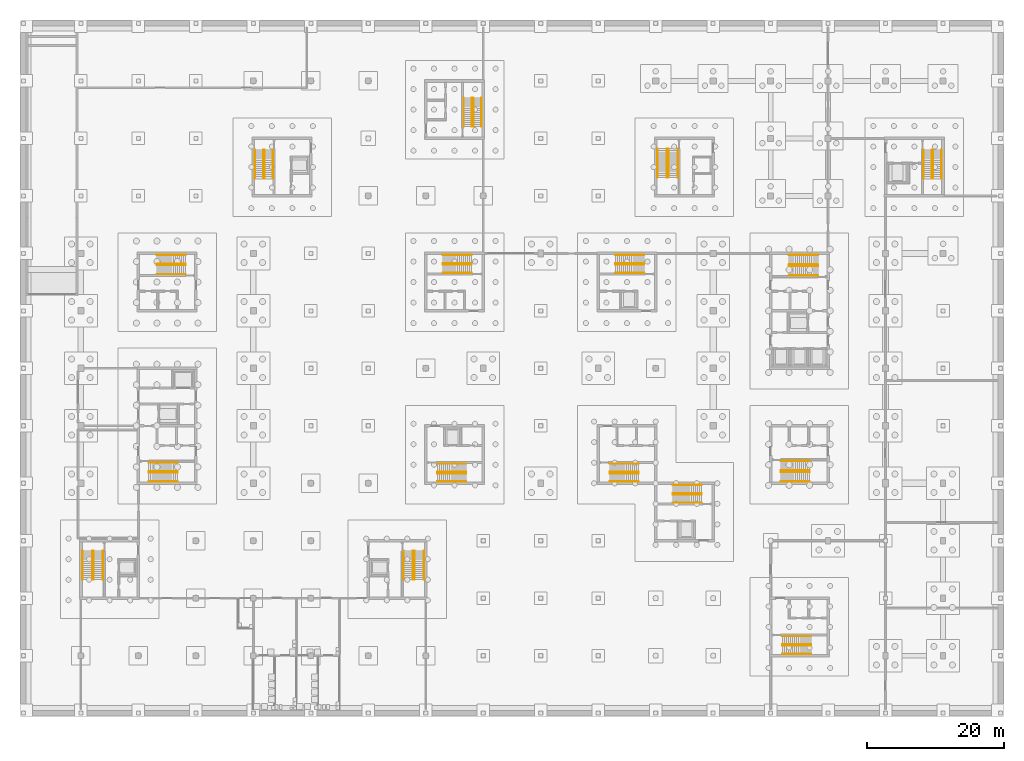
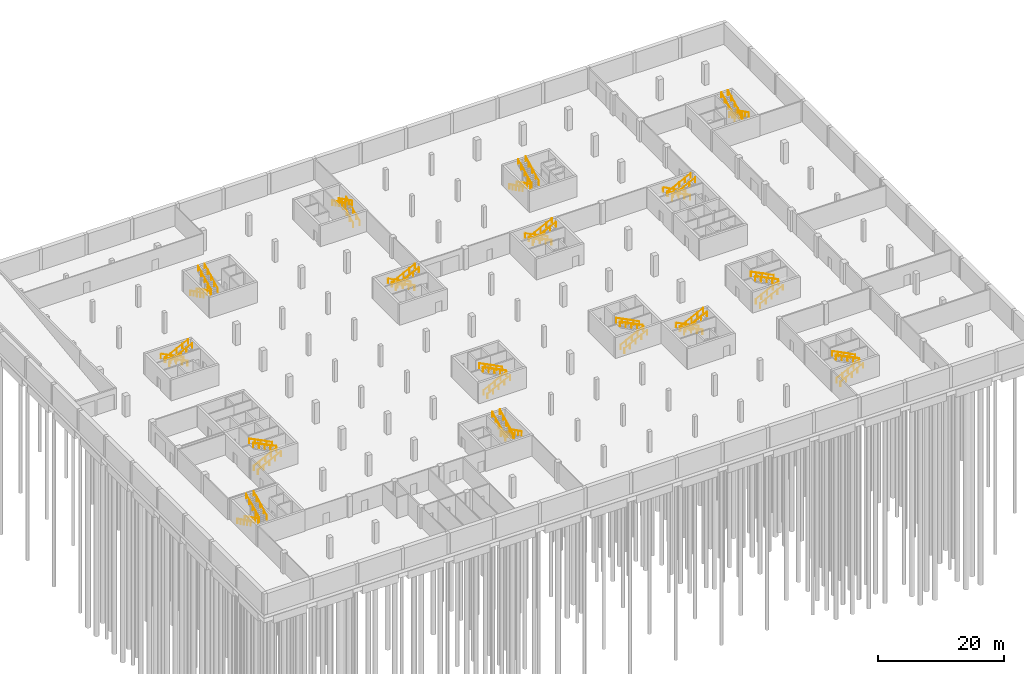
# One storey, part 21 of 23: 64 railings.
"""IFC4 building model written with IfcOpenShell, lengths in metres."""

from ifc_helpers import new_model, si_unit, direction, frame, origin, origin_2d, place, context, subcontext, project, spatial, circle, extrude, material, type_object, element, save


model = new_model("IFC4")

# Units and contexts
model_context = context("Model", 3, precision=1e-05, world=origin(), true_north=direction((0.0, 1.0)))
body_context = subcontext(model_context, "Body", "Model", "MODEL_VIEW")
ifc_project = project(units=[si_unit("LENGTHUNIT", "METRE"), si_unit("AREAUNIT", "SQUARE_METRE"), si_unit("VOLUMEUNIT", "CUBIC_METRE"), si_unit("PLANEANGLEUNIT", "RADIAN"), si_unit("MASSUNIT", "GRAM", prefix="KILO")], contexts=[model_context])

# Site, building, storey
site_placement = place(None, origin())
site = spatial("IfcSite", under=ifc_project, at=site_placement, CompositionType="ELEMENT")
building_placement = place(site_placement, origin())
building = spatial("IfcBuilding", under=site, at=building_placement, Name="Hlaing Beacon Police Headquarters", CompositionType="ELEMENT")
storey_placement = place(building_placement, frame((0.0, 0.0, -4.5)))
storey = spatial("IfcBuildingStorey", under=building, at=storey_placement, Name="B1", CompositionType="ELEMENT", Elevation=-4.5)

# Railings
ifc_material = material(Name="Stainless steel", Category="steel")
railing_type = type_object("IfcRailingType", Name="Stair handrail 900", PredefinedType="HANDRAIL", material=ifc_material)
for number, where, name in (
    (1, (60.5, 33.85009765625, 0.14990234375), "Handrail ST-A"),
    (2, (60.5, 35.050048828125, 0.14990234375), "Handrail ST-A"),
):
    element("IfcRailing", number, at=place(storey_placement, frame(where)), inside=storey, type_object=railing_type, Name=name, PredefinedType="HANDRAIL", context=body_context, shape_type="SweptSolid", body=[
        extrude(circle(Radius=0.02392578125, at=origin_2d()), frame((0.0, 0.0, 0.8759765625), z_axis=(0.894416792377, 0.0, 0.447234392142), x_axis=(0.0, 1.0, 0.0)), (0.0, 0.0, 1.0), 4.69580078125),
        extrude(circle(Radius=0.02099609375, at=origin_2d()), origin(), (0.0, 0.0, 1.0), 0.851806640625),
        extrude(circle(Radius=0.02099609375, at=origin_2d()), frame((1.050048828125, 0.0, 0.52490234375)), (0.0, 0.0, 1.0), 0.851806640625),
        extrude(circle(Radius=0.02099609375, at=origin_2d()), frame((2.10009765625, 0.0, 1.050048828125)), (0.0, 0.0, 1.0), 0.851806640625),
        extrude(circle(Radius=0.02099609375, at=origin_2d()), frame((3.14990234375, 0.0, 1.5751953125)), (0.0, 0.0, 1.0), 0.851806640625),
        extrude(circle(Radius=0.02099609375, at=origin_2d()), frame((4.199951171875, 0.0, 2.10009765625)), (0.0, 0.0, 1.0), 0.851806640625),
    ])
for number, where, name in (
    (3, (64.699951171875, 35.25, 2.39990234375), "Handrail ST-A"),
    (4, (64.699951171875, 36.449951171875, 2.39990234375), "Handrail ST-A"),
    (5, (65.5, 66.949951171875, 0.14990234375), "Handrail ST-B"),
    (6, (65.5, 65.75, 0.14990234375), "Handrail ST-B"),
):
    element("IfcRailing", number, at=place(storey_placement, frame(where)), inside=storey, type_object=railing_type, Name=name, PredefinedType="HANDRAIL", context=body_context, shape_type="SweptSolid", body=[
        extrude(circle(Radius=0.02392578125, at=origin_2d()), frame((0.0, 0.0, 0.8759765625), z_axis=(-0.894416792377, 0.0, 0.447234392142), x_axis=(0.0, -1.0, 0.0)), (0.0, 0.0, 1.0), 4.69580078125),
        extrude(circle(Radius=0.02099609375, at=origin_2d()), origin(), (0.0, 0.0, 1.0), 0.851806640625),
        extrude(circle(Radius=0.02099609375, at=origin_2d()), frame((-1.050048828125, 0.0, 0.52490234375)), (0.0, 0.0, 1.0), 0.851806640625),
        extrude(circle(Radius=0.02099609375, at=origin_2d()), frame((-2.10009765625, 0.0, 1.050048828125)), (0.0, 0.0, 1.0), 0.851806640625),
        extrude(circle(Radius=0.02099609375, at=origin_2d()), frame((-3.14990234375, 0.0, 1.5751953125)), (0.0, 0.0, 1.0), 0.851806640625),
        extrude(circle(Radius=0.02099609375, at=origin_2d()), frame((-4.199951171875, 0.0, 2.10009765625)), (0.0, 0.0, 1.0), 0.851806640625),
    ])
for number, where, name in (
    (7, (61.300048828125, 65.550048828125, 2.39990234375), "Handrail ST-B"),
    (8, (61.300048828125, 64.35009765625, 2.39990234375), "Handrail ST-B"),
    (9, (85.699951171875, 33.85009765625, 0.14990234375), "Handrail ST-C"),
    (10, (85.699951171875, 35.050048828125, 0.14990234375), "Handrail ST-C"),
):
    element("IfcRailing", number, at=place(storey_placement, frame(where)), inside=storey, type_object=railing_type, Name=name, PredefinedType="HANDRAIL", context=body_context, shape_type="SweptSolid", body=[
        extrude(circle(Radius=0.02392578125, at=origin_2d()), frame((0.0, 0.0, 0.8759765625), z_axis=(0.894416792377, 0.0, 0.447234392142), x_axis=(0.0, 1.0, 0.0)), (0.0, 0.0, 1.0), 4.69580078125),
        extrude(circle(Radius=0.02099609375, at=origin_2d()), origin(), (0.0, 0.0, 1.0), 0.851806640625),
        extrude(circle(Radius=0.02099609375, at=origin_2d()), frame((1.050048828125, 0.0, 0.52490234375)), (0.0, 0.0, 1.0), 0.851806640625),
        extrude(circle(Radius=0.02099609375, at=origin_2d()), frame((2.10009765625, 0.0, 1.050048828125)), (0.0, 0.0, 1.0), 0.851806640625),
        extrude(circle(Radius=0.02099609375, at=origin_2d()), frame((3.14990234375, 0.0, 1.5751953125)), (0.0, 0.0, 1.0), 0.851806640625),
        extrude(circle(Radius=0.02099609375, at=origin_2d()), frame((4.199951171875, 0.0, 2.10009765625)), (0.0, 0.0, 1.0), 0.851806640625),
    ])
for number, where, name in (
    (11, (89.89990234375, 35.25, 2.39990234375), "Handrail ST-C"),
    (12, (89.89990234375, 36.449951171875, 2.39990234375), "Handrail ST-C"),
    (13, (90.699951171875, 66.949951171875, 0.14990234375), "Handrail ST-D"),
    (14, (90.699951171875, 65.75, 0.14990234375), "Handrail ST-D"),
):
    element("IfcRailing", number, at=place(storey_placement, frame(where)), inside=storey, type_object=railing_type, Name=name, PredefinedType="HANDRAIL", context=body_context, shape_type="SweptSolid", body=[
        extrude(circle(Radius=0.02392578125, at=origin_2d()), frame((0.0, 0.0, 0.8759765625), z_axis=(-0.894416792377, 0.0, 0.447234392142), x_axis=(0.0, -1.0, 0.0)), (0.0, 0.0, 1.0), 4.69580078125),
        extrude(circle(Radius=0.02099609375, at=origin_2d()), origin(), (0.0, 0.0, 1.0), 0.851806640625),
        extrude(circle(Radius=0.02099609375, at=origin_2d()), frame((-1.050048828125, 0.0, 0.52490234375)), (0.0, 0.0, 1.0), 0.851806640625),
        extrude(circle(Radius=0.02099609375, at=origin_2d()), frame((-2.10009765625, 0.0, 1.050048828125)), (0.0, 0.0, 1.0), 0.851806640625),
        extrude(circle(Radius=0.02099609375, at=origin_2d()), frame((-3.14990234375, 0.0, 1.5751953125)), (0.0, 0.0, 1.0), 0.851806640625),
        extrude(circle(Radius=0.02099609375, at=origin_2d()), frame((-4.199951171875, 0.0, 2.10009765625)), (0.0, 0.0, 1.0), 0.851806640625),
    ])
for number, where, name in (
    (15, (86.5, 65.550048828125, 2.39990234375), "Handrail ST-D"),
    (16, (86.5, 64.35009765625, 2.39990234375), "Handrail ST-D"),
):
    element("IfcRailing", number, at=place(storey_placement, frame(where)), inside=storey, type_object=railing_type, Name=name, PredefinedType="HANDRAIL", context=body_context, shape_type="SweptSolid", body=[
        extrude(circle(Radius=0.02392578125, at=origin_2d()), frame((0.0, 0.0, 0.8759765625), z_axis=(0.894416792377, 0.0, 0.447234392142), x_axis=(0.0, 1.0, 0.0)), (0.0, 0.0, 1.0), 4.69580078125),
        extrude(circle(Radius=0.02099609375, at=origin_2d()), origin(), (0.0, 0.0, 1.0), 0.851806640625),
        extrude(circle(Radius=0.02099609375, at=origin_2d()), frame((1.050048828125, 0.0, 0.52490234375)), (0.0, 0.0, 1.0), 0.851806640625),
        extrude(circle(Radius=0.02099609375, at=origin_2d()), frame((2.10009765625, 0.0, 1.050048828125)), (0.0, 0.0, 1.0), 0.851806640625),
        extrude(circle(Radius=0.02099609375, at=origin_2d()), frame((3.14990234375, 0.0, 1.5751953125)), (0.0, 0.0, 1.0), 0.851806640625),
        extrude(circle(Radius=0.02099609375, at=origin_2d()), frame((4.199951171875, 0.0, 2.10009765625)), (0.0, 0.0, 1.0), 0.851806640625),
    ])
for number, where, name in (
    (17, (33.85009765625, 82.300048828125, 0.14990234375), "Handrail ST-E"),
    (18, (35.050048828125, 82.300048828125, 0.14990234375), "Handrail ST-E"),
):
    element("IfcRailing", number, at=place(storey_placement, frame(where)), inside=storey, type_object=railing_type, Name=name, PredefinedType="HANDRAIL", context=body_context, shape_type="SweptSolid", body=[
        extrude(circle(Radius=0.02392578125, at=origin_2d()), frame((0.0, 0.0, 0.8759765625), z_axis=(0.0, -0.894416792377, 0.447234392142), x_axis=(1.0, 0.0, 0.0)), (0.0, 0.0, 1.0), 4.69580078125),
        extrude(circle(Radius=0.02099609375, at=origin_2d()), origin(), (0.0, 0.0, 1.0), 0.851806640625),
        extrude(circle(Radius=0.02099609375, at=origin_2d()), frame((0.0, -1.050048828125, 0.52490234375)), (0.0, 0.0, 1.0), 0.851806640625),
        extrude(circle(Radius=0.02099609375, at=origin_2d()), frame((0.0, -2.10009765625, 1.050048828125)), (0.0, 0.0, 1.0), 0.851806640625),
        extrude(circle(Radius=0.02099609375, at=origin_2d()), frame((0.0, -3.14990234375, 1.5751953125)), (0.0, 0.0, 1.0), 0.851806640625),
        extrude(circle(Radius=0.02099609375, at=origin_2d()), frame((0.0, -4.199951171875, 2.10009765625)), (0.0, 0.0, 1.0), 0.851806640625),
    ])
for number, where, name in (
    (19, (35.25, 78.10009765625, 2.39990234375), "Handrail ST-E"),
    (20, (36.449951171875, 78.10009765625, 2.39990234375), "Handrail ST-E"),
    (21, (66.949951171875, 85.699951171875, 0.14990234375), "Handrail ST-F"),
    (22, (65.75, 85.699951171875, 0.14990234375), "Handrail ST-F"),
):
    element("IfcRailing", number, at=place(storey_placement, frame(where)), inside=storey, type_object=railing_type, Name=name, PredefinedType="HANDRAIL", context=body_context, shape_type="SweptSolid", body=[
        extrude(circle(Radius=0.02392578125, at=origin_2d()), frame((0.0, 0.0, 0.8759765625), z_axis=(0.0, 0.894416792377, 0.447234392142), x_axis=(-1.0, 0.0, 0.0)), (0.0, 0.0, 1.0), 4.69580078125),
        extrude(circle(Radius=0.02099609375, at=origin_2d()), origin(), (0.0, 0.0, 1.0), 0.851806640625),
        extrude(circle(Radius=0.02099609375, at=origin_2d()), frame((0.0, 1.050048828125, 0.52490234375)), (0.0, 0.0, 1.0), 0.851806640625),
        extrude(circle(Radius=0.02099609375, at=origin_2d()), frame((0.0, 2.10009765625, 1.050048828125)), (0.0, 0.0, 1.0), 0.851806640625),
        extrude(circle(Radius=0.02099609375, at=origin_2d()), frame((0.0, 3.14990234375, 1.5751953125)), (0.0, 0.0, 1.0), 0.851806640625),
        extrude(circle(Radius=0.02099609375, at=origin_2d()), frame((0.0, 4.199951171875, 2.10009765625)), (0.0, 0.0, 1.0), 0.851806640625),
    ])
for number, where, name in (
    (23, (65.550048828125, 89.89990234375, 2.39990234375), "Handrail ST-F"),
    (24, (64.35009765625, 89.89990234375, 2.39990234375), "Handrail ST-F"),
):
    element("IfcRailing", number, at=place(storey_placement, frame(where)), inside=storey, type_object=railing_type, Name=name, PredefinedType="HANDRAIL", context=body_context, shape_type="SweptSolid", body=[
        extrude(circle(Radius=0.02392578125, at=origin_2d()), frame((0.0, 0.0, 0.8759765625), z_axis=(0.0, -0.894416792377, 0.447234392142), x_axis=(1.0, 0.0, 0.0)), (0.0, 0.0, 1.0), 4.69580078125),
        extrude(circle(Radius=0.02099609375, at=origin_2d()), origin(), (0.0, 0.0, 1.0), 0.851806640625),
        extrude(circle(Radius=0.02099609375, at=origin_2d()), frame((0.0, -1.050048828125, 0.52490234375)), (0.0, 0.0, 1.0), 0.851806640625),
        extrude(circle(Radius=0.02099609375, at=origin_2d()), frame((0.0, -2.10009765625, 1.050048828125)), (0.0, 0.0, 1.0), 0.851806640625),
        extrude(circle(Radius=0.02099609375, at=origin_2d()), frame((0.0, -3.14990234375, 1.5751953125)), (0.0, 0.0, 1.0), 0.851806640625),
        extrude(circle(Radius=0.02099609375, at=origin_2d()), frame((0.0, -4.199951171875, 2.10009765625)), (0.0, 0.0, 1.0), 0.851806640625),
    ])
for number, where, name in (
    (25, (99.10009765625, 33.35009765625, 0.14990234375), "Handrail ST-G"),
    (26, (99.10009765625, 32.14990234375, 0.14990234375), "Handrail ST-G"),
):
    element("IfcRailing", number, at=place(storey_placement, frame(where)), inside=storey, type_object=railing_type, Name=name, PredefinedType="HANDRAIL", context=body_context, shape_type="SweptSolid", body=[
        extrude(circle(Radius=0.02392578125, at=origin_2d()), frame((0.0, 0.0, 0.8759765625), z_axis=(-0.894427191, 0.0, 0.4472135955), x_axis=(0.0, -1.0, 0.0)), (0.0, 0.0, 1.0), 4.696044921875),
        extrude(circle(Radius=0.02099609375, at=origin_2d()), origin(), (0.0, 0.0, 1.0), 0.851806640625),
        extrude(circle(Radius=0.02099609375, at=origin_2d()), frame((-1.050048828125, 0.0, 0.52490234375)), (0.0, 0.0, 1.0), 0.851806640625),
        extrude(circle(Radius=0.02099609375, at=origin_2d()), frame((-2.10009765625, 0.0, 1.050048828125)), (0.0, 0.0, 1.0), 0.851806640625),
        extrude(circle(Radius=0.02099609375, at=origin_2d()), frame((-3.150146484375, 0.0, 1.5751953125)), (0.0, 0.0, 1.0), 0.851806640625),
        extrude(circle(Radius=0.02099609375, at=origin_2d()), frame((-4.2001953125, 0.0, 2.10009765625)), (0.0, 0.0, 1.0), 0.851806640625),
    ])
for number, where, name in (
    (27, (94.89990234375, 31.949951171875, 2.39990234375), "Handrail ST-G"),
    (28, (94.89990234375, 30.75, 2.39990234375), "Handrail ST-G"),
    (29, (110.89990234375, 8.64990234375, 0.14990234375), "Handrail ST-H"),
    (30, (110.89990234375, 9.85009765625, 0.14990234375), "Handrail ST-H"),
):
    element("IfcRailing", number, at=place(storey_placement, frame(where)), inside=storey, type_object=railing_type, Name=name, PredefinedType="HANDRAIL", context=body_context, shape_type="SweptSolid", body=[
        extrude(circle(Radius=0.02392578125, at=origin_2d()), frame((0.0, 0.0, 0.8759765625), z_axis=(0.894427191, 0.0, 0.4472135955), x_axis=(0.0, 1.0, 0.0)), (0.0, 0.0, 1.0), 4.696044921875),
        extrude(circle(Radius=0.02099609375, at=origin_2d()), origin(), (0.0, 0.0, 1.0), 0.851806640625),
        extrude(circle(Radius=0.02099609375, at=origin_2d()), frame((1.050048828125, 0.0, 0.52490234375)), (0.0, 0.0, 1.0), 0.851806640625),
        extrude(circle(Radius=0.02099609375, at=origin_2d()), frame((2.10009765625, 0.0, 1.050048828125)), (0.0, 0.0, 1.0), 0.851806640625),
        extrude(circle(Radius=0.02099609375, at=origin_2d()), frame((3.150146484375, 0.0, 1.5751953125)), (0.0, 0.0, 1.0), 0.851806640625),
        extrude(circle(Radius=0.02099609375, at=origin_2d()), frame((4.2001953125, 0.0, 2.10009765625)), (0.0, 0.0, 1.0), 0.851806640625),
    ])
for number, where, name in (
    (31, (115.10009765625, 10.050048828125, 2.39990234375), "Handrail ST-H"),
    (32, (115.10009765625, 11.25, 2.39990234375), "Handrail ST-H"),
):
    element("IfcRailing", number, at=place(storey_placement, frame(where)), inside=storey, type_object=railing_type, Name=name, PredefinedType="HANDRAIL", context=body_context, shape_type="SweptSolid", body=[
        extrude(circle(Radius=0.02392578125, at=origin_2d()), frame((0.0, 0.0, 0.8759765625), z_axis=(-0.894427191, 0.0, 0.4472135955), x_axis=(0.0, -1.0, 0.0)), (0.0, 0.0, 1.0), 4.696044921875),
        extrude(circle(Radius=0.02099609375, at=origin_2d()), origin(), (0.0, 0.0, 1.0), 0.851806640625),
        extrude(circle(Radius=0.02099609375, at=origin_2d()), frame((-1.050048828125, 0.0, 0.52490234375)), (0.0, 0.0, 1.0), 0.851806640625),
        extrude(circle(Radius=0.02099609375, at=origin_2d()), frame((-2.10009765625, 0.0, 1.050048828125)), (0.0, 0.0, 1.0), 0.851806640625),
        extrude(circle(Radius=0.02099609375, at=origin_2d()), frame((-3.150146484375, 0.0, 1.5751953125)), (0.0, 0.0, 1.0), 0.851806640625),
        extrude(circle(Radius=0.02099609375, at=origin_2d()), frame((-4.2001953125, 0.0, 2.10009765625)), (0.0, 0.0, 1.0), 0.851806640625),
    ])
for number, where, name in (
    (33, (8.64990234375, 23.699951171875, 0.14990234375), "Handrail ST-J"),
    (34, (10.050048828125, 23.699951171875, 0.14990234375), "Handrail ST-J"),
):
    element("IfcRailing", number, at=place(storey_placement, frame(where)), inside=storey, type_object=railing_type, Name=name, PredefinedType="HANDRAIL", context=body_context, shape_type="SweptSolid", body=[
        extrude(circle(Radius=0.02392578125, at=origin_2d()), frame((0.0, 0.0, 0.8759765625), z_axis=(0.0, -0.894416792377, 0.447234392142), x_axis=(1.0, 0.0, 0.0)), (0.0, 0.0, 1.0), 4.69580078125),
        extrude(circle(Radius=0.02099609375, at=origin_2d()), origin(), (0.0, 0.0, 1.0), 0.851806640625),
        extrude(circle(Radius=0.02099609375, at=origin_2d()), frame((0.0, -1.050048828125, 0.52490234375)), (0.0, 0.0, 1.0), 0.851806640625),
        extrude(circle(Radius=0.02099609375, at=origin_2d()), frame((0.0, -2.10009765625, 1.050048828125)), (0.0, 0.0, 1.0), 0.851806640625),
        extrude(circle(Radius=0.02099609375, at=origin_2d()), frame((0.0, -3.14990234375, 1.5751953125)), (0.0, 0.0, 1.0), 0.851806640625),
        extrude(circle(Radius=0.02099609375, at=origin_2d()), frame((0.0, -4.199951171875, 2.10009765625)), (0.0, 0.0, 1.0), 0.851806640625),
    ])
for number, where, name in (
    (35, (10.25, 19.5, 2.39990234375), "Handrail ST-J"),
    (36, (11.64990234375, 19.5, 2.39990234375), "Handrail ST-J"),
):
    element("IfcRailing", number, at=place(storey_placement, frame(where)), inside=storey, type_object=railing_type, Name=name, PredefinedType="HANDRAIL", context=body_context, shape_type="SweptSolid", body=[
        extrude(circle(Radius=0.02392578125, at=origin_2d()), frame((0.0, 0.0, 0.8759765625), z_axis=(0.0, 0.894416792377, 0.447234392142), x_axis=(-1.0, 0.0, 0.0)), (0.0, 0.0, 1.0), 4.69580078125),
        extrude(circle(Radius=0.02099609375, at=origin_2d()), origin(), (0.0, 0.0, 1.0), 0.851806640625),
        extrude(circle(Radius=0.02099609375, at=origin_2d()), frame((0.0, 1.050048828125, 0.52490234375)), (0.0, 0.0, 1.0), 0.851806640625),
        extrude(circle(Radius=0.02099609375, at=origin_2d()), frame((0.0, 2.10009765625, 1.050048828125)), (0.0, 0.0, 1.0), 0.851806640625),
        extrude(circle(Radius=0.02099609375, at=origin_2d()), frame((0.0, 3.14990234375, 1.5751953125)), (0.0, 0.0, 1.0), 0.851806640625),
        extrude(circle(Radius=0.02099609375, at=origin_2d()), frame((0.0, 4.199951171875, 2.10009765625)), (0.0, 0.0, 1.0), 0.851806640625),
    ])
for number, where, name in (
    (37, (58.550048828125, 23.699951171875, 0.14990234375), "Handrail ST-K"),
    (38, (57.14990234375, 23.699951171875, 0.14990234375), "Handrail ST-K"),
):
    element("IfcRailing", number, at=place(storey_placement, frame(where)), inside=storey, type_object=railing_type, Name=name, PredefinedType="HANDRAIL", context=body_context, shape_type="SweptSolid", body=[
        extrude(circle(Radius=0.02392578125, at=origin_2d()), frame((0.0, 0.0, 0.8759765625), z_axis=(0.0, -0.894416792377, 0.447234392142), x_axis=(1.0, 0.0, 0.0)), (0.0, 0.0, 1.0), 4.69580078125),
        extrude(circle(Radius=0.02099609375, at=origin_2d()), origin(), (0.0, 0.0, 1.0), 0.851806640625),
        extrude(circle(Radius=0.02099609375, at=origin_2d()), frame((0.0, -1.050048828125, 0.52490234375)), (0.0, 0.0, 1.0), 0.851806640625),
        extrude(circle(Radius=0.02099609375, at=origin_2d()), frame((0.0, -2.10009765625, 1.050048828125)), (0.0, 0.0, 1.0), 0.851806640625),
        extrude(circle(Radius=0.02099609375, at=origin_2d()), frame((0.0, -3.14990234375, 1.5751953125)), (0.0, 0.0, 1.0), 0.851806640625),
        extrude(circle(Radius=0.02099609375, at=origin_2d()), frame((0.0, -4.199951171875, 2.10009765625)), (0.0, 0.0, 1.0), 0.851806640625),
    ])
for number, where, name in (
    (39, (56.949951171875, 19.5, 2.39990234375), "Handrail ST-K"),
    (40, (55.550048828125, 19.5, 2.39990234375), "Handrail ST-K"),
):
    element("IfcRailing", number, at=place(storey_placement, frame(where)), inside=storey, type_object=railing_type, Name=name, PredefinedType="HANDRAIL", context=body_context, shape_type="SweptSolid", body=[
        extrude(circle(Radius=0.02392578125, at=origin_2d()), frame((0.0, 0.0, 0.8759765625), z_axis=(0.0, 0.894416792377, 0.447234392142), x_axis=(-1.0, 0.0, 0.0)), (0.0, 0.0, 1.0), 4.69580078125),
        extrude(circle(Radius=0.02099609375, at=origin_2d()), origin(), (0.0, 0.0, 1.0), 0.851806640625),
        extrude(circle(Radius=0.02099609375, at=origin_2d()), frame((0.0, 1.050048828125, 0.52490234375)), (0.0, 0.0, 1.0), 0.851806640625),
        extrude(circle(Radius=0.02099609375, at=origin_2d()), frame((0.0, 2.10009765625, 1.050048828125)), (0.0, 0.0, 1.0), 0.851806640625),
        extrude(circle(Radius=0.02099609375, at=origin_2d()), frame((0.0, 3.14990234375, 1.5751953125)), (0.0, 0.0, 1.0), 0.851806640625),
        extrude(circle(Radius=0.02099609375, at=origin_2d()), frame((0.0, 4.199951171875, 2.10009765625)), (0.0, 0.0, 1.0), 0.851806640625),
    ])
for number, where, name in (
    (41, (116.10009765625, 66.949951171875, 0.14990234375), "Handrail ST-M"),
    (42, (116.10009765625, 65.550048828125, 0.14990234375), "Handrail ST-M"),
):
    element("IfcRailing", number, at=place(storey_placement, frame(where)), inside=storey, type_object=railing_type, Name=name, PredefinedType="HANDRAIL", context=body_context, shape_type="SweptSolid", body=[
        extrude(circle(Radius=0.02392578125, at=origin_2d()), frame((0.0, 0.0, 0.8759765625), z_axis=(-0.894427191, 0.0, 0.4472135955), x_axis=(0.0, -1.0, 0.0)), (0.0, 0.0, 1.0), 4.696044921875),
        extrude(circle(Radius=0.02099609375, at=origin_2d()), origin(), (0.0, 0.0, 1.0), 0.851806640625),
        extrude(circle(Radius=0.02099609375, at=origin_2d()), frame((-1.050048828125, 0.0, 0.52490234375)), (0.0, 0.0, 1.0), 0.851806640625),
        extrude(circle(Radius=0.02099609375, at=origin_2d()), frame((-2.10009765625, 0.0, 1.050048828125)), (0.0, 0.0, 1.0), 0.851806640625),
        extrude(circle(Radius=0.02099609375, at=origin_2d()), frame((-3.150146484375, 0.0, 1.5751953125)), (0.0, 0.0, 1.0), 0.851806640625),
        extrude(circle(Radius=0.02099609375, at=origin_2d()), frame((-4.2001953125, 0.0, 2.10009765625)), (0.0, 0.0, 1.0), 0.851806640625),
    ])
for number, where, name in (
    (43, (111.89990234375, 65.35009765625, 2.39990234375), "Handrail ST-M"),
    (44, (111.89990234375, 63.949951171875, 2.39990234375), "Handrail ST-M"),
):
    element("IfcRailing", number, at=place(storey_placement, frame(where)), inside=storey, type_object=railing_type, Name=name, PredefinedType="HANDRAIL", context=body_context, shape_type="SweptSolid", body=[
        extrude(circle(Radius=0.02392578125, at=origin_2d()), frame((0.0, 0.0, 0.8759765625), z_axis=(0.894427191, 0.0, 0.4472135955), x_axis=(0.0, 1.0, 0.0)), (0.0, 0.0, 1.0), 4.696044921875),
        extrude(circle(Radius=0.02099609375, at=origin_2d()), origin(), (0.0, 0.0, 1.0), 0.851806640625),
        extrude(circle(Radius=0.02099609375, at=origin_2d()), frame((1.050048828125, 0.0, 0.52490234375)), (0.0, 0.0, 1.0), 0.851806640625),
        extrude(circle(Radius=0.02099609375, at=origin_2d()), frame((2.10009765625, 0.0, 1.050048828125)), (0.0, 0.0, 1.0), 0.851806640625),
        extrude(circle(Radius=0.02099609375, at=origin_2d()), frame((3.150146484375, 0.0, 1.5751953125)), (0.0, 0.0, 1.0), 0.851806640625),
        extrude(circle(Radius=0.02099609375, at=origin_2d()), frame((4.2001953125, 0.0, 2.10009765625)), (0.0, 0.0, 1.0), 0.851806640625),
    ])
for number, where, name in (
    (45, (110.699951171875, 33.85009765625, 0.14990234375), "Handrail ST-L"),
    (46, (110.699951171875, 35.25, 0.14990234375), "Handrail ST-L"),
):
    element("IfcRailing", number, at=place(storey_placement, frame(where)), inside=storey, type_object=railing_type, Name=name, PredefinedType="HANDRAIL", context=body_context, shape_type="SweptSolid", body=[
        extrude(circle(Radius=0.02392578125, at=origin_2d()), frame((0.0, 0.0, 0.8759765625), z_axis=(0.894416792377, 0.0, 0.447234392142), x_axis=(0.0, 1.0, 0.0)), (0.0, 0.0, 1.0), 4.69580078125),
        extrude(circle(Radius=0.02099609375, at=origin_2d()), origin(), (0.0, 0.0, 1.0), 0.851806640625),
        extrude(circle(Radius=0.02099609375, at=origin_2d()), frame((1.050048828125, 0.0, 0.52490234375)), (0.0, 0.0, 1.0), 0.851806640625),
        extrude(circle(Radius=0.02099609375, at=origin_2d()), frame((2.10009765625, 0.0, 1.050048828125)), (0.0, 0.0, 1.0), 0.851806640625),
        extrude(circle(Radius=0.02099609375, at=origin_2d()), frame((3.14990234375, 0.0, 1.5751953125)), (0.0, 0.0, 1.0), 0.851806640625),
        extrude(circle(Radius=0.02099609375, at=origin_2d()), frame((4.199951171875, 0.0, 2.10009765625)), (0.0, 0.0, 1.0), 0.851806640625),
    ])
for number, where, name in (
    (47, (114.89990234375, 35.449951171875, 2.39990234375), "Handrail ST-L"),
    (48, (114.89990234375, 36.85009765625, 2.39990234375), "Handrail ST-L"),
    (49, (23.699951171875, 66.949951171875, 0.14990234375), "Handrail ST-P"),
    (50, (23.699951171875, 65.64990234375, 0.14990234375), "Handrail ST-P"),
):
    element("IfcRailing", number, at=place(storey_placement, frame(where)), inside=storey, type_object=railing_type, Name=name, PredefinedType="HANDRAIL", context=body_context, shape_type="SweptSolid", body=[
        extrude(circle(Radius=0.02392578125, at=origin_2d()), frame((0.0, 0.0, 0.8759765625), z_axis=(-0.894416792377, 0.0, 0.447234392142), x_axis=(0.0, -1.0, 0.0)), (0.0, 0.0, 1.0), 4.69580078125),
        extrude(circle(Radius=0.02099609375, at=origin_2d()), origin(), (0.0, 0.0, 1.0), 0.851806640625),
        extrude(circle(Radius=0.02099609375, at=origin_2d()), frame((-1.050048828125, 0.0, 0.52490234375)), (0.0, 0.0, 1.0), 0.851806640625),
        extrude(circle(Radius=0.02099609375, at=origin_2d()), frame((-2.10009765625, 0.0, 1.050048828125)), (0.0, 0.0, 1.0), 0.851806640625),
        extrude(circle(Radius=0.02099609375, at=origin_2d()), frame((-3.14990234375, 0.0, 1.5751953125)), (0.0, 0.0, 1.0), 0.851806640625),
        extrude(circle(Radius=0.02099609375, at=origin_2d()), frame((-4.199951171875, 0.0, 2.10009765625)), (0.0, 0.0, 1.0), 0.851806640625),
    ])
for number, where, name in (
    (51, (19.5, 65.449951171875, 2.39990234375), "Handrail ST-P"),
    (52, (19.5, 64.14990234375, 2.39990234375), "Handrail ST-P"),
    (53, (18.300048828125, 33.85009765625, 0.14990234375), "Handrail ST-N"),
    (54, (18.300048828125, 35.14990234375, 0.14990234375), "Handrail ST-N"),
):
    element("IfcRailing", number, at=place(storey_placement, frame(where)), inside=storey, type_object=railing_type, Name=name, PredefinedType="HANDRAIL", context=body_context, shape_type="SweptSolid", body=[
        extrude(circle(Radius=0.02392578125, at=origin_2d()), frame((0.0, 0.0, 0.8759765625), z_axis=(0.894416792377, 0.0, 0.447234392142), x_axis=(0.0, 1.0, 0.0)), (0.0, 0.0, 1.0), 4.69580078125),
        extrude(circle(Radius=0.02099609375, at=origin_2d()), origin(), (0.0, 0.0, 1.0), 0.851806640625),
        extrude(circle(Radius=0.02099609375, at=origin_2d()), frame((1.050048828125, 0.0, 0.52490234375)), (0.0, 0.0, 1.0), 0.851806640625),
        extrude(circle(Radius=0.02099609375, at=origin_2d()), frame((2.10009765625, 0.0, 1.050048828125)), (0.0, 0.0, 1.0), 0.851806640625),
        extrude(circle(Radius=0.02099609375, at=origin_2d()), frame((3.14990234375, 0.0, 1.5751953125)), (0.0, 0.0, 1.0), 0.851806640625),
        extrude(circle(Radius=0.02099609375, at=origin_2d()), frame((4.199951171875, 0.0, 2.10009765625)), (0.0, 0.0, 1.0), 0.851806640625),
    ])
for number, where, name in (
    (55, (22.5, 35.35009765625, 2.39990234375), "Handrail ST-N"),
    (56, (22.5, 36.64990234375, 2.39990234375), "Handrail ST-N"),
):
    element("IfcRailing", number, at=place(storey_placement, frame(where)), inside=storey, type_object=railing_type, Name=name, PredefinedType="HANDRAIL", context=body_context, shape_type="SweptSolid", body=[
        extrude(circle(Radius=0.02392578125, at=origin_2d()), frame((0.0, 0.0, 0.8759765625), z_axis=(-0.894416792377, 0.0, 0.447234392142), x_axis=(0.0, -1.0, 0.0)), (0.0, 0.0, 1.0), 4.69580078125),
        extrude(circle(Radius=0.02099609375, at=origin_2d()), origin(), (0.0, 0.0, 1.0), 0.851806640625),
        extrude(circle(Radius=0.02099609375, at=origin_2d()), frame((-1.050048828125, 0.0, 0.52490234375)), (0.0, 0.0, 1.0), 0.851806640625),
        extrude(circle(Radius=0.02099609375, at=origin_2d()), frame((-2.10009765625, 0.0, 1.050048828125)), (0.0, 0.0, 1.0), 0.851806640625),
        extrude(circle(Radius=0.02099609375, at=origin_2d()), frame((-3.14990234375, 0.0, 1.5751953125)), (0.0, 0.0, 1.0), 0.851806640625),
        extrude(circle(Radius=0.02099609375, at=origin_2d()), frame((-4.199951171875, 0.0, 2.10009765625)), (0.0, 0.0, 1.0), 0.851806640625),
    ])
for number, where, name in (
    (57, (92.64990234375, 82.5, 0.14990234375), "Handrail ST-Q"),
    (58, (94.050048828125, 82.5, 0.14990234375), "Handrail ST-Q"),
):
    element("IfcRailing", number, at=place(storey_placement, frame(where)), inside=storey, type_object=railing_type, Name=name, PredefinedType="HANDRAIL", context=body_context, shape_type="SweptSolid", body=[
        extrude(circle(Radius=0.02392578125, at=origin_2d()), frame((0.0, 0.0, 0.8759765625), z_axis=(0.0, -0.894416792377, 0.447234392142), x_axis=(1.0, 0.0, 0.0)), (0.0, 0.0, 1.0), 4.69580078125),
        extrude(circle(Radius=0.02099609375, at=origin_2d()), origin(), (0.0, 0.0, 1.0), 0.851806640625),
        extrude(circle(Radius=0.02099609375, at=origin_2d()), frame((0.0, -1.050048828125, 0.52490234375)), (0.0, 0.0, 1.0), 0.851806640625),
        extrude(circle(Radius=0.02099609375, at=origin_2d()), frame((0.0, -2.10009765625, 1.050048828125)), (0.0, 0.0, 1.0), 0.851806640625),
        extrude(circle(Radius=0.02099609375, at=origin_2d()), frame((0.0, -3.14990234375, 1.5751953125)), (0.0, 0.0, 1.0), 0.851806640625),
        extrude(circle(Radius=0.02099609375, at=origin_2d()), frame((0.0, -4.199951171875, 2.10009765625)), (0.0, 0.0, 1.0), 0.851806640625),
    ])
for number, where, name in (
    (59, (94.25, 78.300048828125, 2.39990234375), "Handrail ST-Q"),
    (60, (95.64990234375, 78.300048828125, 2.39990234375), "Handrail ST-Q"),
):
    element("IfcRailing", number, at=place(storey_placement, frame(where)), inside=storey, type_object=railing_type, Name=name, PredefinedType="HANDRAIL", context=body_context, shape_type="SweptSolid", body=[
        extrude(circle(Radius=0.02392578125, at=origin_2d()), frame((0.0, 0.0, 0.8759765625), z_axis=(0.0, 0.894416792377, 0.447234392142), x_axis=(-1.0, 0.0, 0.0)), (0.0, 0.0, 1.0), 4.69580078125),
        extrude(circle(Radius=0.02099609375, at=origin_2d()), origin(), (0.0, 0.0, 1.0), 0.851806640625),
        extrude(circle(Radius=0.02099609375, at=origin_2d()), frame((0.0, 1.050048828125, 0.52490234375)), (0.0, 0.0, 1.0), 0.851806640625),
        extrude(circle(Radius=0.02099609375, at=origin_2d()), frame((0.0, 2.10009765625, 1.050048828125)), (0.0, 0.0, 1.0), 0.851806640625),
        extrude(circle(Radius=0.02099609375, at=origin_2d()), frame((0.0, 3.14990234375, 1.5751953125)), (0.0, 0.0, 1.0), 0.851806640625),
        extrude(circle(Radius=0.02099609375, at=origin_2d()), frame((0.0, 4.199951171875, 2.10009765625)), (0.0, 0.0, 1.0), 0.851806640625),
    ])
for number, where, name in (
    (61, (134.14990234375, 82.300048828125, 0.14990234375), "Handrail ST-R"),
    (62, (132.949951171875, 82.300048828125, 0.14990234375), "Handrail ST-R"),
):
    element("IfcRailing", number, at=place(storey_placement, frame(where)), inside=storey, type_object=railing_type, Name=name, PredefinedType="HANDRAIL", context=body_context, shape_type="SweptSolid", body=[
        extrude(circle(Radius=0.02392578125, at=origin_2d()), frame((0.0, 0.0, 0.8759765625), z_axis=(0.0, -0.894416792377, 0.447234392142), x_axis=(1.0, 0.0, 0.0)), (0.0, 0.0, 1.0), 4.69580078125),
        extrude(circle(Radius=0.02099609375, at=origin_2d()), origin(), (0.0, 0.0, 1.0), 0.851806640625),
        extrude(circle(Radius=0.02099609375, at=origin_2d()), frame((0.0, -1.050048828125, 0.52490234375)), (0.0, 0.0, 1.0), 0.851806640625),
        extrude(circle(Radius=0.02099609375, at=origin_2d()), frame((0.0, -2.10009765625, 1.050048828125)), (0.0, 0.0, 1.0), 0.851806640625),
        extrude(circle(Radius=0.02099609375, at=origin_2d()), frame((0.0, -3.14990234375, 1.5751953125)), (0.0, 0.0, 1.0), 0.851806640625),
        extrude(circle(Radius=0.02099609375, at=origin_2d()), frame((0.0, -4.199951171875, 2.10009765625)), (0.0, 0.0, 1.0), 0.851806640625),
    ])
for number, where, name in (
    (63, (132.75, 78.10009765625, 2.39990234375), "Handrail ST-R"),
    (64, (131.550048828125, 78.10009765625, 2.39990234375), "Handrail ST-R"),
):
    element("IfcRailing", number, at=place(storey_placement, frame(where)), inside=storey, type_object=railing_type, Name=name, PredefinedType="HANDRAIL", context=body_context, shape_type="SweptSolid", body=[
        extrude(circle(Radius=0.02392578125, at=origin_2d()), frame((0.0, 0.0, 0.8759765625), z_axis=(0.0, 0.894416792377, 0.447234392142), x_axis=(-1.0, 0.0, 0.0)), (0.0, 0.0, 1.0), 4.69580078125),
        extrude(circle(Radius=0.02099609375, at=origin_2d()), origin(), (0.0, 0.0, 1.0), 0.851806640625),
        extrude(circle(Radius=0.02099609375, at=origin_2d()), frame((0.0, 1.050048828125, 0.52490234375)), (0.0, 0.0, 1.0), 0.851806640625),
        extrude(circle(Radius=0.02099609375, at=origin_2d()), frame((0.0, 2.10009765625, 1.050048828125)), (0.0, 0.0, 1.0), 0.851806640625),
        extrude(circle(Radius=0.02099609375, at=origin_2d()), frame((0.0, 3.14990234375, 1.5751953125)), (0.0, 0.0, 1.0), 0.851806640625),
        extrude(circle(Radius=0.02099609375, at=origin_2d()), frame((0.0, 4.199951171875, 2.10009765625)), (0.0, 0.0, 1.0), 0.851806640625),
    ])

save(model, "model.ifc")
